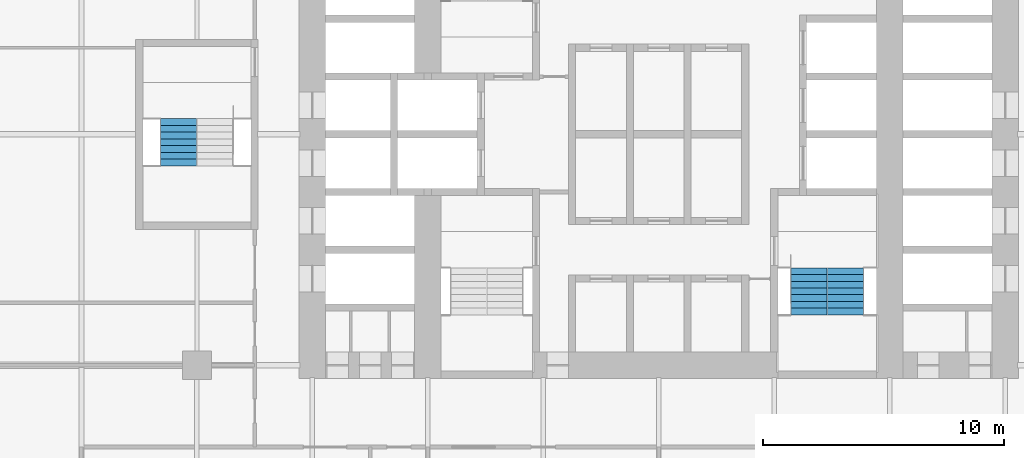
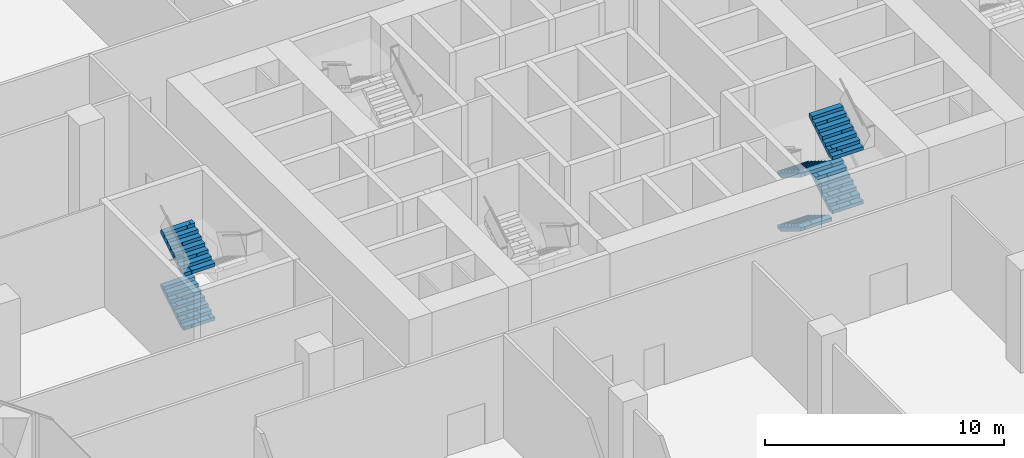
# One storey, part 23 of 27: 6 stair flights, 2 elements without a shape of their own.
"""IFC4 building model written with IfcOpenShell, lengths in metres."""

from ifc_helpers import new_model, si_unit, direction, frame, origin, place, context, subcontext, project, spatial, polyline, outline, extrude, material, type_object, element, aggregate, save


model = new_model("IFC4")

# Units and contexts
model_context = context("Model", 3, precision=1e-05, world=origin(), true_north=direction((0.0, 1.0)))
body_context = subcontext(model_context, "Body", "Model", "MODEL_VIEW")
ifc_project = project(units=[si_unit("LENGTHUNIT", "METRE"), si_unit("AREAUNIT", "SQUARE_METRE"), si_unit("VOLUMEUNIT", "CUBIC_METRE"), si_unit("PLANEANGLEUNIT", "RADIAN"), si_unit("MASSUNIT", "GRAM", prefix="KILO")], contexts=[model_context])

# Site, building, storey
site_placement = place(None, origin())
site = spatial("IfcSite", under=ifc_project, at=site_placement, CompositionType="ELEMENT")
building_placement = place(site_placement, origin())
building = spatial("IfcBuilding", under=site, at=building_placement, Name="Kolab Exchange Tower", CompositionType="ELEMENT")
storey_placement = place(building_placement, frame((0.0, 0.0, 44.39990234375)))
storey = spatial("IfcBuildingStorey", under=building, at=storey_placement, Name="L08", CompositionType="ELEMENT", Elevation=44.39990234375)

# Stair, stair flights
ifc_material = material(Name="Concrete C50/60", Category="concrete")
stair_type_1 = type_object("IfcStairType", Name="STAIR ST2 RISER 171.9", PredefinedType="DOUBLE_RETURN_STAIR", material=ifc_material)
stair_1_placement = place(storey_placement, origin())
stair_1 = element("IfcStair", 1, at=stair_1_placement, inside=storey, type_object=stair_type_1, Name="Stair 2", PredefinedType="DOUBLE_RETURN_STAIR")
stair_flight_type = type_object("IfcStairFlightType", Name="STAIR FLIGHT 1500 RISER 171.9", PredefinedType="STRAIGHT", material=ifc_material)
stair_flight_1_placement = place(storey_placement, frame((6.239990234375, -5.550048828125, 0.0), z_axis=(0.0, 0.0, 1.0), x_axis=(0.0, -1.0, 0.0)))
stair_flight_1 = element("IfcStairFlight", 2, at=stair_flight_1_placement, type_object=stair_flight_type, Name="ST2 flight 1", NumberOfRisers=8, NumberOfTreads=7, PredefinedType="STRAIGHT", RiserHeight=0.171875, TreadLength=0.28, context=body_context, shape_type="SweptSolid", body=[
    extrude(outline(polyline([(0.0, 0.0), (0.0, 0.171875), (0.280029296875, 0.171875), (0.280029296875, 0.34375), (0.56005859375, 0.34375), (0.56005859375, 0.515625), (0.840087890625, 0.515625), (0.840087890625, 0.6875), (1.1201171875, 0.6875), (1.1201171875, 0.859375), (1.39990234375, 0.859375), (1.39990234375, 1.03125), (1.679931640625, 1.03125), (1.679931640625, 1.203125), (1.9599609375, 1.203125), (1.9599609375, 1.375), (1.9599609375, 1.02734375), (0.28662109375, 0.0), (0.0, 0.0)])), frame((0.0, 0.75, 0.0), z_axis=(0.0, -1.0, 0.0), x_axis=(1.0, 0.0, 0.0)), (0.0, 0.0, 1.0), 0.185791015625),
    extrude(outline(polyline([(0.0, 0.0), (0.0, 0.171875), (0.280029296875, 0.171875), (0.280029296875, 0.34375), (0.56005859375, 0.34375), (0.56005859375, 0.515625), (0.840087890625, 0.515625), (0.840087890625, 0.6875), (1.1201171875, 0.6875), (1.1201171875, 0.859375), (1.39990234375, 0.859375), (1.39990234375, 1.03125), (1.679931640625, 1.03125), (1.679931640625, 1.203125), (1.9599609375, 1.203125), (1.9599609375, 1.375), (1.9599609375, 1.02734375), (0.28662109375, 0.0), (0.0, 0.0)])), frame((0.0, 0.562255859375, 0.0), z_axis=(0.0, -1.0, 0.0), x_axis=(1.0, 0.0, 0.0)), (0.0, 0.0, 1.0), 0.185791015625),
    extrude(outline(polyline([(0.0, 0.0), (0.0, 0.171875), (0.280029296875, 0.171875), (0.280029296875, 0.34375), (0.56005859375, 0.34375), (0.56005859375, 0.515625), (0.840087890625, 0.515625), (0.840087890625, 0.6875), (1.1201171875, 0.6875), (1.1201171875, 0.859375), (1.39990234375, 0.859375), (1.39990234375, 1.03125), (1.679931640625, 1.03125), (1.679931640625, 1.203125), (1.9599609375, 1.203125), (1.9599609375, 1.375), (1.9599609375, 1.02734375), (0.28662109375, 0.0), (0.0, 0.0)])), frame((0.0, 0.37451171875, 0.0), z_axis=(0.0, -1.0, 0.0), x_axis=(1.0, 0.0, 0.0)), (0.0, 0.0, 1.0), 0.185791015625),
    extrude(outline(polyline([(0.0, 0.0), (0.0, 0.171875), (0.280029296875, 0.171875), (0.280029296875, 0.34375), (0.56005859375, 0.34375), (0.56005859375, 0.515625), (0.840087890625, 0.515625), (0.840087890625, 0.6875), (1.1201171875, 0.6875), (1.1201171875, 0.859375), (1.39990234375, 0.859375), (1.39990234375, 1.03125), (1.679931640625, 1.03125), (1.679931640625, 1.203125), (1.9599609375, 1.203125), (1.9599609375, 1.375), (1.9599609375, 1.02734375), (0.28662109375, 0.0), (0.0, 0.0)])), frame((0.0, 0.186767578125, 0.0), z_axis=(0.0, -1.0, 0.0), x_axis=(1.0, 0.0, 0.0)), (0.0, 0.0, 1.0), 0.185791015625),
    extrude(outline(polyline([(0.0, 0.0), (0.0, 0.171875), (0.280029296875, 0.171875), (0.280029296875, 0.34375), (0.56005859375, 0.34375), (0.56005859375, 0.515625), (0.840087890625, 0.515625), (0.840087890625, 0.6875), (1.1201171875, 0.6875), (1.1201171875, 0.859375), (1.39990234375, 0.859375), (1.39990234375, 1.03125), (1.679931640625, 1.03125), (1.679931640625, 1.203125), (1.9599609375, 1.203125), (1.9599609375, 1.375), (1.9599609375, 1.02734375), (0.28662109375, 0.0), (0.0, 0.0)])), frame((0.0, -0.0009765625, 0.0), z_axis=(0.0, -1.0, 0.0), x_axis=(1.0, 0.0, 0.0)), (0.0, 0.0, 1.0), 0.185791015625),
    extrude(outline(polyline([(0.0, 0.0), (0.0, 0.171875), (0.280029296875, 0.171875), (0.280029296875, 0.34375), (0.56005859375, 0.34375), (0.56005859375, 0.515625), (0.840087890625, 0.515625), (0.840087890625, 0.6875), (1.1201171875, 0.6875), (1.1201171875, 0.859375), (1.39990234375, 0.859375), (1.39990234375, 1.03125), (1.679931640625, 1.03125), (1.679931640625, 1.203125), (1.9599609375, 1.203125), (1.9599609375, 1.375), (1.9599609375, 1.02734375), (0.28662109375, 0.0), (0.0, 0.0)])), frame((0.0, -0.188720703125, 0.0), z_axis=(0.0, -1.0, 0.0), x_axis=(1.0, 0.0, 0.0)), (0.0, 0.0, 1.0), 0.185791015625),
    extrude(outline(polyline([(0.0, 0.0), (0.0, 0.171875), (0.280029296875, 0.171875), (0.280029296875, 0.34375), (0.56005859375, 0.34375), (0.56005859375, 0.515625), (0.840087890625, 0.515625), (0.840087890625, 0.6875), (1.1201171875, 0.6875), (1.1201171875, 0.859375), (1.39990234375, 0.859375), (1.39990234375, 1.03125), (1.679931640625, 1.03125), (1.679931640625, 1.203125), (1.9599609375, 1.203125), (1.9599609375, 1.375), (1.9599609375, 1.02734375), (0.28662109375, 0.0), (0.0, 0.0)])), frame((0.0, -0.37646484375, 0.0), z_axis=(0.0, -1.0, 0.0), x_axis=(1.0, 0.0, 0.0)), (0.0, 0.0, 1.0), 0.185791015625),
    extrude(outline(polyline([(0.0, 0.0), (0.0, 0.171875), (0.280029296875, 0.171875), (0.280029296875, 0.34375), (0.56005859375, 0.34375), (0.56005859375, 0.515625), (0.840087890625, 0.515625), (0.840087890625, 0.6875), (1.1201171875, 0.6875), (1.1201171875, 0.859375), (1.39990234375, 0.859375), (1.39990234375, 1.03125), (1.679931640625, 1.03125), (1.679931640625, 1.203125), (1.9599609375, 1.203125), (1.9599609375, 1.375), (1.9599609375, 1.02734375), (0.28662109375, 0.0), (0.0, 0.0)])), frame((0.0, -0.564208984375, 0.0), z_axis=(0.0, -1.0, 0.0), x_axis=(1.0, 0.0, 0.0)), (0.0, 0.0, 1.0), 0.185791015625),
])
stair_flight_2_placement = place(storey_placement, frame((7.760009765625, -7.510009765625, 1.375), z_axis=(0.0, 0.0, 1.0), x_axis=(0.0, 1.0, 0.0)))
stair_flight_2 = element("IfcStairFlight", 3, at=stair_flight_2_placement, type_object=stair_flight_type, Name="ST2 flight 2", NumberOfRisers=8, NumberOfTreads=7, PredefinedType="STRAIGHT", RiserHeight=0.171875, TreadLength=0.28, context=body_context, shape_type="SweptSolid", body=[
    extrude(outline(polyline([(0.0, 0.0), (0.0, 0.171875), (0.280029296875, 0.171875), (0.280029296875, 0.34375), (0.56005859375, 0.34375), (0.56005859375, 0.515625), (0.840087890625, 0.515625), (0.840087890625, 0.6875), (1.1201171875, 0.6875), (1.1201171875, 0.859375), (1.39990234375, 0.859375), (1.39990234375, 1.03125), (1.679931640625, 1.03125), (1.679931640625, 1.203125), (1.9599609375, 1.203125), (1.9599609375, 1.375), (1.9599609375, 1.02734375), (0.28662109375, 0.0), (0.0, 0.0)])), frame((0.0, 0.75, 0.0), z_axis=(0.0, -1.0, 0.0), x_axis=(1.0, 0.0, 0.0)), (0.0, 0.0, 1.0), 0.185791015625),
    extrude(outline(polyline([(0.0, 0.0), (0.0, 0.171875), (0.280029296875, 0.171875), (0.280029296875, 0.34375), (0.56005859375, 0.34375), (0.56005859375, 0.515625), (0.840087890625, 0.515625), (0.840087890625, 0.6875), (1.1201171875, 0.6875), (1.1201171875, 0.859375), (1.39990234375, 0.859375), (1.39990234375, 1.03125), (1.679931640625, 1.03125), (1.679931640625, 1.203125), (1.9599609375, 1.203125), (1.9599609375, 1.375), (1.9599609375, 1.02734375), (0.28662109375, 0.0), (0.0, 0.0)])), frame((0.0, 0.562255859375, 0.0), z_axis=(0.0, -1.0, 0.0), x_axis=(1.0, 0.0, 0.0)), (0.0, 0.0, 1.0), 0.185791015625),
    extrude(outline(polyline([(0.0, 0.0), (0.0, 0.171875), (0.280029296875, 0.171875), (0.280029296875, 0.34375), (0.56005859375, 0.34375), (0.56005859375, 0.515625), (0.840087890625, 0.515625), (0.840087890625, 0.6875), (1.1201171875, 0.6875), (1.1201171875, 0.859375), (1.39990234375, 0.859375), (1.39990234375, 1.03125), (1.679931640625, 1.03125), (1.679931640625, 1.203125), (1.9599609375, 1.203125), (1.9599609375, 1.375), (1.9599609375, 1.02734375), (0.28662109375, 0.0), (0.0, 0.0)])), frame((0.0, 0.37451171875, 0.0), z_axis=(0.0, -1.0, 0.0), x_axis=(1.0, 0.0, 0.0)), (0.0, 0.0, 1.0), 0.185791015625),
    extrude(outline(polyline([(0.0, 0.0), (0.0, 0.171875), (0.280029296875, 0.171875), (0.280029296875, 0.34375), (0.56005859375, 0.34375), (0.56005859375, 0.515625), (0.840087890625, 0.515625), (0.840087890625, 0.6875), (1.1201171875, 0.6875), (1.1201171875, 0.859375), (1.39990234375, 0.859375), (1.39990234375, 1.03125), (1.679931640625, 1.03125), (1.679931640625, 1.203125), (1.9599609375, 1.203125), (1.9599609375, 1.375), (1.9599609375, 1.02734375), (0.28662109375, 0.0), (0.0, 0.0)])), frame((0.0, 0.186767578125, 0.0), z_axis=(0.0, -1.0, 0.0), x_axis=(1.0, 0.0, 0.0)), (0.0, 0.0, 1.0), 0.185791015625),
    extrude(outline(polyline([(0.0, 0.0), (0.0, 0.171875), (0.280029296875, 0.171875), (0.280029296875, 0.34375), (0.56005859375, 0.34375), (0.56005859375, 0.515625), (0.840087890625, 0.515625), (0.840087890625, 0.6875), (1.1201171875, 0.6875), (1.1201171875, 0.859375), (1.39990234375, 0.859375), (1.39990234375, 1.03125), (1.679931640625, 1.03125), (1.679931640625, 1.203125), (1.9599609375, 1.203125), (1.9599609375, 1.375), (1.9599609375, 1.02734375), (0.28662109375, 0.0), (0.0, 0.0)])), frame((0.0, -0.0009765625, 0.0), z_axis=(0.0, -1.0, 0.0), x_axis=(1.0, 0.0, 0.0)), (0.0, 0.0, 1.0), 0.185791015625),
    extrude(outline(polyline([(0.0, 0.0), (0.0, 0.171875), (0.280029296875, 0.171875), (0.280029296875, 0.34375), (0.56005859375, 0.34375), (0.56005859375, 0.515625), (0.840087890625, 0.515625), (0.840087890625, 0.6875), (1.1201171875, 0.6875), (1.1201171875, 0.859375), (1.39990234375, 0.859375), (1.39990234375, 1.03125), (1.679931640625, 1.03125), (1.679931640625, 1.203125), (1.9599609375, 1.203125), (1.9599609375, 1.375), (1.9599609375, 1.02734375), (0.28662109375, 0.0), (0.0, 0.0)])), frame((0.0, -0.188720703125, 0.0), z_axis=(0.0, -1.0, 0.0), x_axis=(1.0, 0.0, 0.0)), (0.0, 0.0, 1.0), 0.185791015625),
    extrude(outline(polyline([(0.0, 0.0), (0.0, 0.171875), (0.280029296875, 0.171875), (0.280029296875, 0.34375), (0.56005859375, 0.34375), (0.56005859375, 0.515625), (0.840087890625, 0.515625), (0.840087890625, 0.6875), (1.1201171875, 0.6875), (1.1201171875, 0.859375), (1.39990234375, 0.859375), (1.39990234375, 1.03125), (1.679931640625, 1.03125), (1.679931640625, 1.203125), (1.9599609375, 1.203125), (1.9599609375, 1.375), (1.9599609375, 1.02734375), (0.28662109375, 0.0), (0.0, 0.0)])), frame((0.0, -0.37646484375, 0.0), z_axis=(0.0, -1.0, 0.0), x_axis=(1.0, 0.0, 0.0)), (0.0, 0.0, 1.0), 0.185791015625),
    extrude(outline(polyline([(0.0, 0.0), (0.0, 0.171875), (0.280029296875, 0.171875), (0.280029296875, 0.34375), (0.56005859375, 0.34375), (0.56005859375, 0.515625), (0.840087890625, 0.515625), (0.840087890625, 0.6875), (1.1201171875, 0.6875), (1.1201171875, 0.859375), (1.39990234375, 0.859375), (1.39990234375, 1.03125), (1.679931640625, 1.03125), (1.679931640625, 1.203125), (1.9599609375, 1.203125), (1.9599609375, 1.375), (1.9599609375, 1.02734375), (0.28662109375, 0.0), (0.0, 0.0)])), frame((0.0, -0.564208984375, 0.0), z_axis=(0.0, -1.0, 0.0), x_axis=(1.0, 0.0, 0.0)), (0.0, 0.0, 1.0), 0.185791015625),
])
stair_flight_3_placement = place(storey_placement, frame((6.239990234375, -5.550048828125, 2.75), z_axis=(0.0, 0.0, 1.0), x_axis=(0.0, -1.0, 0.0)))
stair_flight_3 = element("IfcStairFlight", 4, at=stair_flight_3_placement, type_object=stair_flight_type, Name="ST2 flight 3", NumberOfRisers=8, NumberOfTreads=7, PredefinedType="STRAIGHT", RiserHeight=0.171875, TreadLength=0.28, context=body_context, shape_type="SweptSolid", body=[
    extrude(outline(polyline([(0.0, 0.0), (0.0, 0.171875), (0.280029296875, 0.171875), (0.280029296875, 0.34375), (0.56005859375, 0.34375), (0.56005859375, 0.515625), (0.840087890625, 0.515625), (0.840087890625, 0.6875), (1.1201171875, 0.6875), (1.1201171875, 0.859375), (1.39990234375, 0.859375), (1.39990234375, 1.03125), (1.679931640625, 1.03125), (1.679931640625, 1.203125), (1.9599609375, 1.203125), (1.9599609375, 1.375), (1.9599609375, 1.02734375), (0.28662109375, 0.0), (0.0, 0.0)])), frame((0.0, 0.75, 0.0), z_axis=(0.0, -1.0, 0.0), x_axis=(1.0, 0.0, 0.0)), (0.0, 0.0, 1.0), 0.185791015625),
    extrude(outline(polyline([(0.0, 0.0), (0.0, 0.171875), (0.280029296875, 0.171875), (0.280029296875, 0.34375), (0.56005859375, 0.34375), (0.56005859375, 0.515625), (0.840087890625, 0.515625), (0.840087890625, 0.6875), (1.1201171875, 0.6875), (1.1201171875, 0.859375), (1.39990234375, 0.859375), (1.39990234375, 1.03125), (1.679931640625, 1.03125), (1.679931640625, 1.203125), (1.9599609375, 1.203125), (1.9599609375, 1.375), (1.9599609375, 1.02734375), (0.28662109375, 0.0), (0.0, 0.0)])), frame((0.0, 0.562255859375, 0.0), z_axis=(0.0, -1.0, 0.0), x_axis=(1.0, 0.0, 0.0)), (0.0, 0.0, 1.0), 0.185791015625),
    extrude(outline(polyline([(0.0, 0.0), (0.0, 0.171875), (0.280029296875, 0.171875), (0.280029296875, 0.34375), (0.56005859375, 0.34375), (0.56005859375, 0.515625), (0.840087890625, 0.515625), (0.840087890625, 0.6875), (1.1201171875, 0.6875), (1.1201171875, 0.859375), (1.39990234375, 0.859375), (1.39990234375, 1.03125), (1.679931640625, 1.03125), (1.679931640625, 1.203125), (1.9599609375, 1.203125), (1.9599609375, 1.375), (1.9599609375, 1.02734375), (0.28662109375, 0.0), (0.0, 0.0)])), frame((0.0, 0.37451171875, 0.0), z_axis=(0.0, -1.0, 0.0), x_axis=(1.0, 0.0, 0.0)), (0.0, 0.0, 1.0), 0.185791015625),
    extrude(outline(polyline([(0.0, 0.0), (0.0, 0.171875), (0.280029296875, 0.171875), (0.280029296875, 0.34375), (0.56005859375, 0.34375), (0.56005859375, 0.515625), (0.840087890625, 0.515625), (0.840087890625, 0.6875), (1.1201171875, 0.6875), (1.1201171875, 0.859375), (1.39990234375, 0.859375), (1.39990234375, 1.03125), (1.679931640625, 1.03125), (1.679931640625, 1.203125), (1.9599609375, 1.203125), (1.9599609375, 1.375), (1.9599609375, 1.02734375), (0.28662109375, 0.0), (0.0, 0.0)])), frame((0.0, 0.186767578125, 0.0), z_axis=(0.0, -1.0, 0.0), x_axis=(1.0, 0.0, 0.0)), (0.0, 0.0, 1.0), 0.185791015625),
    extrude(outline(polyline([(0.0, 0.0), (0.0, 0.171875), (0.280029296875, 0.171875), (0.280029296875, 0.34375), (0.56005859375, 0.34375), (0.56005859375, 0.515625), (0.840087890625, 0.515625), (0.840087890625, 0.6875), (1.1201171875, 0.6875), (1.1201171875, 0.859375), (1.39990234375, 0.859375), (1.39990234375, 1.03125), (1.679931640625, 1.03125), (1.679931640625, 1.203125), (1.9599609375, 1.203125), (1.9599609375, 1.375), (1.9599609375, 1.02734375), (0.28662109375, 0.0), (0.0, 0.0)])), frame((0.0, -0.0009765625, 0.0), z_axis=(0.0, -1.0, 0.0), x_axis=(1.0, 0.0, 0.0)), (0.0, 0.0, 1.0), 0.185791015625),
    extrude(outline(polyline([(0.0, 0.0), (0.0, 0.171875), (0.280029296875, 0.171875), (0.280029296875, 0.34375), (0.56005859375, 0.34375), (0.56005859375, 0.515625), (0.840087890625, 0.515625), (0.840087890625, 0.6875), (1.1201171875, 0.6875), (1.1201171875, 0.859375), (1.39990234375, 0.859375), (1.39990234375, 1.03125), (1.679931640625, 1.03125), (1.679931640625, 1.203125), (1.9599609375, 1.203125), (1.9599609375, 1.375), (1.9599609375, 1.02734375), (0.28662109375, 0.0), (0.0, 0.0)])), frame((0.0, -0.188720703125, 0.0), z_axis=(0.0, -1.0, 0.0), x_axis=(1.0, 0.0, 0.0)), (0.0, 0.0, 1.0), 0.185791015625),
    extrude(outline(polyline([(0.0, 0.0), (0.0, 0.171875), (0.280029296875, 0.171875), (0.280029296875, 0.34375), (0.56005859375, 0.34375), (0.56005859375, 0.515625), (0.840087890625, 0.515625), (0.840087890625, 0.6875), (1.1201171875, 0.6875), (1.1201171875, 0.859375), (1.39990234375, 0.859375), (1.39990234375, 1.03125), (1.679931640625, 1.03125), (1.679931640625, 1.203125), (1.9599609375, 1.203125), (1.9599609375, 1.375), (1.9599609375, 1.02734375), (0.28662109375, 0.0), (0.0, 0.0)])), frame((0.0, -0.37646484375, 0.0), z_axis=(0.0, -1.0, 0.0), x_axis=(1.0, 0.0, 0.0)), (0.0, 0.0, 1.0), 0.185791015625),
    extrude(outline(polyline([(0.0, 0.0), (0.0, 0.171875), (0.280029296875, 0.171875), (0.280029296875, 0.34375), (0.56005859375, 0.34375), (0.56005859375, 0.515625), (0.840087890625, 0.515625), (0.840087890625, 0.6875), (1.1201171875, 0.6875), (1.1201171875, 0.859375), (1.39990234375, 0.859375), (1.39990234375, 1.03125), (1.679931640625, 1.03125), (1.679931640625, 1.203125), (1.9599609375, 1.203125), (1.9599609375, 1.375), (1.9599609375, 1.02734375), (0.28662109375, 0.0), (0.0, 0.0)])), frame((0.0, -0.564208984375, 0.0), z_axis=(0.0, -1.0, 0.0), x_axis=(1.0, 0.0, 0.0)), (0.0, 0.0, 1.0), 0.185791015625),
])
stair_flight_4_placement = place(storey_placement, frame((7.760009765625, -7.510009765625, 4.125), z_axis=(0.0, 0.0, 1.0), x_axis=(0.0, 1.0, 0.0)))
stair_flight_4 = element("IfcStairFlight", 5, at=stair_flight_4_placement, type_object=stair_flight_type, Name="ST2 flight 4", NumberOfRisers=8, NumberOfTreads=7, PredefinedType="STRAIGHT", RiserHeight=0.171875, TreadLength=0.28, context=body_context, shape_type="SweptSolid", body=[
    extrude(outline(polyline([(0.0, 0.0), (0.0, 0.171875), (0.280029296875, 0.171875), (0.280029296875, 0.34375), (0.56005859375, 0.34375), (0.56005859375, 0.515625), (0.840087890625, 0.515625), (0.840087890625, 0.6875), (1.1201171875, 0.6875), (1.1201171875, 0.859375), (1.39990234375, 0.859375), (1.39990234375, 1.03125), (1.679931640625, 1.03125), (1.679931640625, 1.203125), (1.9599609375, 1.203125), (1.9599609375, 1.375), (1.9599609375, 1.02734375), (0.28662109375, 0.0), (0.0, 0.0)])), frame((0.0, 0.75, 0.0), z_axis=(0.0, -1.0, 0.0), x_axis=(1.0, 0.0, 0.0)), (0.0, 0.0, 1.0), 0.185791015625),
    extrude(outline(polyline([(0.0, 0.0), (0.0, 0.171875), (0.280029296875, 0.171875), (0.280029296875, 0.34375), (0.56005859375, 0.34375), (0.56005859375, 0.515625), (0.840087890625, 0.515625), (0.840087890625, 0.6875), (1.1201171875, 0.6875), (1.1201171875, 0.859375), (1.39990234375, 0.859375), (1.39990234375, 1.03125), (1.679931640625, 1.03125), (1.679931640625, 1.203125), (1.9599609375, 1.203125), (1.9599609375, 1.375), (1.9599609375, 1.02734375), (0.28662109375, 0.0), (0.0, 0.0)])), frame((0.0, 0.562255859375, 0.0), z_axis=(0.0, -1.0, 0.0), x_axis=(1.0, 0.0, 0.0)), (0.0, 0.0, 1.0), 0.185791015625),
    extrude(outline(polyline([(0.0, 0.0), (0.0, 0.171875), (0.280029296875, 0.171875), (0.280029296875, 0.34375), (0.56005859375, 0.34375), (0.56005859375, 0.515625), (0.840087890625, 0.515625), (0.840087890625, 0.6875), (1.1201171875, 0.6875), (1.1201171875, 0.859375), (1.39990234375, 0.859375), (1.39990234375, 1.03125), (1.679931640625, 1.03125), (1.679931640625, 1.203125), (1.9599609375, 1.203125), (1.9599609375, 1.375), (1.9599609375, 1.02734375), (0.28662109375, 0.0), (0.0, 0.0)])), frame((0.0, 0.37451171875, 0.0), z_axis=(0.0, -1.0, 0.0), x_axis=(1.0, 0.0, 0.0)), (0.0, 0.0, 1.0), 0.185791015625),
    extrude(outline(polyline([(0.0, 0.0), (0.0, 0.171875), (0.280029296875, 0.171875), (0.280029296875, 0.34375), (0.56005859375, 0.34375), (0.56005859375, 0.515625), (0.840087890625, 0.515625), (0.840087890625, 0.6875), (1.1201171875, 0.6875), (1.1201171875, 0.859375), (1.39990234375, 0.859375), (1.39990234375, 1.03125), (1.679931640625, 1.03125), (1.679931640625, 1.203125), (1.9599609375, 1.203125), (1.9599609375, 1.375), (1.9599609375, 1.02734375), (0.28662109375, 0.0), (0.0, 0.0)])), frame((0.0, 0.186767578125, 0.0), z_axis=(0.0, -1.0, 0.0), x_axis=(1.0, 0.0, 0.0)), (0.0, 0.0, 1.0), 0.185791015625),
    extrude(outline(polyline([(0.0, 0.0), (0.0, 0.171875), (0.280029296875, 0.171875), (0.280029296875, 0.34375), (0.56005859375, 0.34375), (0.56005859375, 0.515625), (0.840087890625, 0.515625), (0.840087890625, 0.6875), (1.1201171875, 0.6875), (1.1201171875, 0.859375), (1.39990234375, 0.859375), (1.39990234375, 1.03125), (1.679931640625, 1.03125), (1.679931640625, 1.203125), (1.9599609375, 1.203125), (1.9599609375, 1.375), (1.9599609375, 1.02734375), (0.28662109375, 0.0), (0.0, 0.0)])), frame((0.0, -0.0009765625, 0.0), z_axis=(0.0, -1.0, 0.0), x_axis=(1.0, 0.0, 0.0)), (0.0, 0.0, 1.0), 0.185791015625),
    extrude(outline(polyline([(0.0, 0.0), (0.0, 0.171875), (0.280029296875, 0.171875), (0.280029296875, 0.34375), (0.56005859375, 0.34375), (0.56005859375, 0.515625), (0.840087890625, 0.515625), (0.840087890625, 0.6875), (1.1201171875, 0.6875), (1.1201171875, 0.859375), (1.39990234375, 0.859375), (1.39990234375, 1.03125), (1.679931640625, 1.03125), (1.679931640625, 1.203125), (1.9599609375, 1.203125), (1.9599609375, 1.375), (1.9599609375, 1.02734375), (0.28662109375, 0.0), (0.0, 0.0)])), frame((0.0, -0.188720703125, 0.0), z_axis=(0.0, -1.0, 0.0), x_axis=(1.0, 0.0, 0.0)), (0.0, 0.0, 1.0), 0.185791015625),
    extrude(outline(polyline([(0.0, 0.0), (0.0, 0.171875), (0.280029296875, 0.171875), (0.280029296875, 0.34375), (0.56005859375, 0.34375), (0.56005859375, 0.515625), (0.840087890625, 0.515625), (0.840087890625, 0.6875), (1.1201171875, 0.6875), (1.1201171875, 0.859375), (1.39990234375, 0.859375), (1.39990234375, 1.03125), (1.679931640625, 1.03125), (1.679931640625, 1.203125), (1.9599609375, 1.203125), (1.9599609375, 1.375), (1.9599609375, 1.02734375), (0.28662109375, 0.0), (0.0, 0.0)])), frame((0.0, -0.37646484375, 0.0), z_axis=(0.0, -1.0, 0.0), x_axis=(1.0, 0.0, 0.0)), (0.0, 0.0, 1.0), 0.185791015625),
    extrude(outline(polyline([(0.0, 0.0), (0.0, 0.171875), (0.280029296875, 0.171875), (0.280029296875, 0.34375), (0.56005859375, 0.34375), (0.56005859375, 0.515625), (0.840087890625, 0.515625), (0.840087890625, 0.6875), (1.1201171875, 0.6875), (1.1201171875, 0.859375), (1.39990234375, 0.859375), (1.39990234375, 1.03125), (1.679931640625, 1.03125), (1.679931640625, 1.203125), (1.9599609375, 1.203125), (1.9599609375, 1.375), (1.9599609375, 1.02734375), (0.28662109375, 0.0), (0.0, 0.0)])), frame((0.0, -0.564208984375, 0.0), z_axis=(0.0, -1.0, 0.0), x_axis=(1.0, 0.0, 0.0)), (0.0, 0.0, 1.0), 0.185791015625),
])
aggregate(stair_1, [stair_flight_1, stair_flight_2, stair_flight_3, stair_flight_4])

stair_type_2 = type_object("IfcStairType", Name="STAIR ST5 RISER 171.9", PredefinedType="DOUBLE_RETURN_STAIR", material=ifc_material)
stair_2_placement = place(storey_placement, origin())
stair_2 = element("IfcStair", 6, at=stair_2_placement, inside=storey, type_object=stair_type_2, Name="Stair 5", PredefinedType="DOUBLE_RETURN_STAIR")
stair_flight_5_placement = place(storey_placement, frame((-19.9599609375, -1.31005859375, 1.375), z_axis=(0.0, 0.0, 1.0), x_axis=(0.0, 1.0, 0.0)))
stair_flight_5 = element("IfcStairFlight", 7, at=stair_flight_5_placement, type_object=stair_flight_type, Name="ST5 flight 2", NumberOfRisers=8, NumberOfTreads=7, PredefinedType="STRAIGHT", RiserHeight=0.171875, TreadLength=0.28, context=body_context, shape_type="SweptSolid", body=[
    extrude(outline(polyline([(0.0, 0.0), (0.0, 0.171875), (0.280029296875, 0.171875), (0.280029296875, 0.34375), (0.56005859375, 0.34375), (0.56005859375, 0.515625), (0.840087890625, 0.515625), (0.840087890625, 0.6875), (1.1201171875, 0.6875), (1.1201171875, 0.859375), (1.39990234375, 0.859375), (1.39990234375, 1.03125), (1.679931640625, 1.03125), (1.679931640625, 1.203125), (1.9599609375, 1.203125), (1.9599609375, 1.375), (1.9599609375, 1.02734375), (0.28662109375, 0.0), (0.0, 0.0)])), frame((0.0, 0.75, 0.0), z_axis=(0.0, -1.0, 0.0), x_axis=(1.0, 0.0, 0.0)), (0.0, 0.0, 1.0), 0.185791015625),
    extrude(outline(polyline([(0.0, 0.0), (0.0, 0.171875), (0.280029296875, 0.171875), (0.280029296875, 0.34375), (0.56005859375, 0.34375), (0.56005859375, 0.515625), (0.840087890625, 0.515625), (0.840087890625, 0.6875), (1.1201171875, 0.6875), (1.1201171875, 0.859375), (1.39990234375, 0.859375), (1.39990234375, 1.03125), (1.679931640625, 1.03125), (1.679931640625, 1.203125), (1.9599609375, 1.203125), (1.9599609375, 1.375), (1.9599609375, 1.02734375), (0.28662109375, 0.0), (0.0, 0.0)])), frame((0.0, 0.562255859375, 0.0), z_axis=(0.0, -1.0, 0.0), x_axis=(1.0, 0.0, 0.0)), (0.0, 0.0, 1.0), 0.185791015625),
    extrude(outline(polyline([(0.0, 0.0), (0.0, 0.171875), (0.280029296875, 0.171875), (0.280029296875, 0.34375), (0.56005859375, 0.34375), (0.56005859375, 0.515625), (0.840087890625, 0.515625), (0.840087890625, 0.6875), (1.1201171875, 0.6875), (1.1201171875, 0.859375), (1.39990234375, 0.859375), (1.39990234375, 1.03125), (1.679931640625, 1.03125), (1.679931640625, 1.203125), (1.9599609375, 1.203125), (1.9599609375, 1.375), (1.9599609375, 1.02734375), (0.28662109375, 0.0), (0.0, 0.0)])), frame((0.0, 0.37451171875, 0.0), z_axis=(0.0, -1.0, 0.0), x_axis=(1.0, 0.0, 0.0)), (0.0, 0.0, 1.0), 0.185791015625),
    extrude(outline(polyline([(0.0, 0.0), (0.0, 0.171875), (0.280029296875, 0.171875), (0.280029296875, 0.34375), (0.56005859375, 0.34375), (0.56005859375, 0.515625), (0.840087890625, 0.515625), (0.840087890625, 0.6875), (1.1201171875, 0.6875), (1.1201171875, 0.859375), (1.39990234375, 0.859375), (1.39990234375, 1.03125), (1.679931640625, 1.03125), (1.679931640625, 1.203125), (1.9599609375, 1.203125), (1.9599609375, 1.375), (1.9599609375, 1.02734375), (0.28662109375, 0.0), (0.0, 0.0)])), frame((0.0, 0.186767578125, 0.0), z_axis=(0.0, -1.0, 0.0), x_axis=(1.0, 0.0, 0.0)), (0.0, 0.0, 1.0), 0.185791015625),
    extrude(outline(polyline([(0.0, 0.0), (0.0, 0.171875), (0.280029296875, 0.171875), (0.280029296875, 0.34375), (0.56005859375, 0.34375), (0.56005859375, 0.515625), (0.840087890625, 0.515625), (0.840087890625, 0.6875), (1.1201171875, 0.6875), (1.1201171875, 0.859375), (1.39990234375, 0.859375), (1.39990234375, 1.03125), (1.679931640625, 1.03125), (1.679931640625, 1.203125), (1.9599609375, 1.203125), (1.9599609375, 1.375), (1.9599609375, 1.02734375), (0.28662109375, 0.0), (0.0, 0.0)])), frame((0.0, -0.0009765625, 0.0), z_axis=(0.0, -1.0, 0.0), x_axis=(1.0, 0.0, 0.0)), (0.0, 0.0, 1.0), 0.185791015625),
    extrude(outline(polyline([(0.0, 0.0), (0.0, 0.171875), (0.280029296875, 0.171875), (0.280029296875, 0.34375), (0.56005859375, 0.34375), (0.56005859375, 0.515625), (0.840087890625, 0.515625), (0.840087890625, 0.6875), (1.1201171875, 0.6875), (1.1201171875, 0.859375), (1.39990234375, 0.859375), (1.39990234375, 1.03125), (1.679931640625, 1.03125), (1.679931640625, 1.203125), (1.9599609375, 1.203125), (1.9599609375, 1.375), (1.9599609375, 1.02734375), (0.28662109375, 0.0), (0.0, 0.0)])), frame((0.0, -0.188720703125, 0.0), z_axis=(0.0, -1.0, 0.0), x_axis=(1.0, 0.0, 0.0)), (0.0, 0.0, 1.0), 0.185791015625),
    extrude(outline(polyline([(0.0, 0.0), (0.0, 0.171875), (0.280029296875, 0.171875), (0.280029296875, 0.34375), (0.56005859375, 0.34375), (0.56005859375, 0.515625), (0.840087890625, 0.515625), (0.840087890625, 0.6875), (1.1201171875, 0.6875), (1.1201171875, 0.859375), (1.39990234375, 0.859375), (1.39990234375, 1.03125), (1.679931640625, 1.03125), (1.679931640625, 1.203125), (1.9599609375, 1.203125), (1.9599609375, 1.375), (1.9599609375, 1.02734375), (0.28662109375, 0.0), (0.0, 0.0)])), frame((0.0, -0.37646484375, 0.0), z_axis=(0.0, -1.0, 0.0), x_axis=(1.0, 0.0, 0.0)), (0.0, 0.0, 1.0), 0.185791015625),
    extrude(outline(polyline([(0.0, 0.0), (0.0, 0.171875), (0.280029296875, 0.171875), (0.280029296875, 0.34375), (0.56005859375, 0.34375), (0.56005859375, 0.515625), (0.840087890625, 0.515625), (0.840087890625, 0.6875), (1.1201171875, 0.6875), (1.1201171875, 0.859375), (1.39990234375, 0.859375), (1.39990234375, 1.03125), (1.679931640625, 1.03125), (1.679931640625, 1.203125), (1.9599609375, 1.203125), (1.9599609375, 1.375), (1.9599609375, 1.02734375), (0.28662109375, 0.0), (0.0, 0.0)])), frame((0.0, -0.564208984375, 0.0), z_axis=(0.0, -1.0, 0.0), x_axis=(1.0, 0.0, 0.0)), (0.0, 0.0, 1.0), 0.185791015625),
])
stair_flight_6_placement = place(storey_placement, frame((-19.9599609375, -1.31005859375, 4.125), z_axis=(0.0, 0.0, 1.0), x_axis=(0.0, 1.0, 0.0)))
stair_flight_6 = element("IfcStairFlight", 8, at=stair_flight_6_placement, type_object=stair_flight_type, Name="ST5 flight 4", NumberOfRisers=8, NumberOfTreads=7, PredefinedType="STRAIGHT", RiserHeight=0.171875, TreadLength=0.28, context=body_context, shape_type="SweptSolid", body=[
    extrude(outline(polyline([(0.0, 0.0), (0.0, 0.171875), (0.280029296875, 0.171875), (0.280029296875, 0.34375), (0.56005859375, 0.34375), (0.56005859375, 0.515625), (0.840087890625, 0.515625), (0.840087890625, 0.6875), (1.1201171875, 0.6875), (1.1201171875, 0.859375), (1.39990234375, 0.859375), (1.39990234375, 1.03125), (1.679931640625, 1.03125), (1.679931640625, 1.203125), (1.9599609375, 1.203125), (1.9599609375, 1.375), (1.9599609375, 1.02734375), (0.28662109375, 0.0), (0.0, 0.0)])), frame((0.0, 0.75, 0.0), z_axis=(0.0, -1.0, 0.0), x_axis=(1.0, 0.0, 0.0)), (0.0, 0.0, 1.0), 0.185791015625),
    extrude(outline(polyline([(0.0, 0.0), (0.0, 0.171875), (0.280029296875, 0.171875), (0.280029296875, 0.34375), (0.56005859375, 0.34375), (0.56005859375, 0.515625), (0.840087890625, 0.515625), (0.840087890625, 0.6875), (1.1201171875, 0.6875), (1.1201171875, 0.859375), (1.39990234375, 0.859375), (1.39990234375, 1.03125), (1.679931640625, 1.03125), (1.679931640625, 1.203125), (1.9599609375, 1.203125), (1.9599609375, 1.375), (1.9599609375, 1.02734375), (0.28662109375, 0.0), (0.0, 0.0)])), frame((0.0, 0.562255859375, 0.0), z_axis=(0.0, -1.0, 0.0), x_axis=(1.0, 0.0, 0.0)), (0.0, 0.0, 1.0), 0.185791015625),
    extrude(outline(polyline([(0.0, 0.0), (0.0, 0.171875), (0.280029296875, 0.171875), (0.280029296875, 0.34375), (0.56005859375, 0.34375), (0.56005859375, 0.515625), (0.840087890625, 0.515625), (0.840087890625, 0.6875), (1.1201171875, 0.6875), (1.1201171875, 0.859375), (1.39990234375, 0.859375), (1.39990234375, 1.03125), (1.679931640625, 1.03125), (1.679931640625, 1.203125), (1.9599609375, 1.203125), (1.9599609375, 1.375), (1.9599609375, 1.02734375), (0.28662109375, 0.0), (0.0, 0.0)])), frame((0.0, 0.37451171875, 0.0), z_axis=(0.0, -1.0, 0.0), x_axis=(1.0, 0.0, 0.0)), (0.0, 0.0, 1.0), 0.185791015625),
    extrude(outline(polyline([(0.0, 0.0), (0.0, 0.171875), (0.280029296875, 0.171875), (0.280029296875, 0.34375), (0.56005859375, 0.34375), (0.56005859375, 0.515625), (0.840087890625, 0.515625), (0.840087890625, 0.6875), (1.1201171875, 0.6875), (1.1201171875, 0.859375), (1.39990234375, 0.859375), (1.39990234375, 1.03125), (1.679931640625, 1.03125), (1.679931640625, 1.203125), (1.9599609375, 1.203125), (1.9599609375, 1.375), (1.9599609375, 1.02734375), (0.28662109375, 0.0), (0.0, 0.0)])), frame((0.0, 0.186767578125, 0.0), z_axis=(0.0, -1.0, 0.0), x_axis=(1.0, 0.0, 0.0)), (0.0, 0.0, 1.0), 0.185791015625),
    extrude(outline(polyline([(0.0, 0.0), (0.0, 0.171875), (0.280029296875, 0.171875), (0.280029296875, 0.34375), (0.56005859375, 0.34375), (0.56005859375, 0.515625), (0.840087890625, 0.515625), (0.840087890625, 0.6875), (1.1201171875, 0.6875), (1.1201171875, 0.859375), (1.39990234375, 0.859375), (1.39990234375, 1.03125), (1.679931640625, 1.03125), (1.679931640625, 1.203125), (1.9599609375, 1.203125), (1.9599609375, 1.375), (1.9599609375, 1.02734375), (0.28662109375, 0.0), (0.0, 0.0)])), frame((0.0, -0.0009765625, 0.0), z_axis=(0.0, -1.0, 0.0), x_axis=(1.0, 0.0, 0.0)), (0.0, 0.0, 1.0), 0.185791015625),
    extrude(outline(polyline([(0.0, 0.0), (0.0, 0.171875), (0.280029296875, 0.171875), (0.280029296875, 0.34375), (0.56005859375, 0.34375), (0.56005859375, 0.515625), (0.840087890625, 0.515625), (0.840087890625, 0.6875), (1.1201171875, 0.6875), (1.1201171875, 0.859375), (1.39990234375, 0.859375), (1.39990234375, 1.03125), (1.679931640625, 1.03125), (1.679931640625, 1.203125), (1.9599609375, 1.203125), (1.9599609375, 1.375), (1.9599609375, 1.02734375), (0.28662109375, 0.0), (0.0, 0.0)])), frame((0.0, -0.188720703125, 0.0), z_axis=(0.0, -1.0, 0.0), x_axis=(1.0, 0.0, 0.0)), (0.0, 0.0, 1.0), 0.185791015625),
    extrude(outline(polyline([(0.0, 0.0), (0.0, 0.171875), (0.280029296875, 0.171875), (0.280029296875, 0.34375), (0.56005859375, 0.34375), (0.56005859375, 0.515625), (0.840087890625, 0.515625), (0.840087890625, 0.6875), (1.1201171875, 0.6875), (1.1201171875, 0.859375), (1.39990234375, 0.859375), (1.39990234375, 1.03125), (1.679931640625, 1.03125), (1.679931640625, 1.203125), (1.9599609375, 1.203125), (1.9599609375, 1.375), (1.9599609375, 1.02734375), (0.28662109375, 0.0), (0.0, 0.0)])), frame((0.0, -0.37646484375, 0.0), z_axis=(0.0, -1.0, 0.0), x_axis=(1.0, 0.0, 0.0)), (0.0, 0.0, 1.0), 0.185791015625),
    extrude(outline(polyline([(0.0, 0.0), (0.0, 0.171875), (0.280029296875, 0.171875), (0.280029296875, 0.34375), (0.56005859375, 0.34375), (0.56005859375, 0.515625), (0.840087890625, 0.515625), (0.840087890625, 0.6875), (1.1201171875, 0.6875), (1.1201171875, 0.859375), (1.39990234375, 0.859375), (1.39990234375, 1.03125), (1.679931640625, 1.03125), (1.679931640625, 1.203125), (1.9599609375, 1.203125), (1.9599609375, 1.375), (1.9599609375, 1.02734375), (0.28662109375, 0.0), (0.0, 0.0)])), frame((0.0, -0.564208984375, 0.0), z_axis=(0.0, -1.0, 0.0), x_axis=(1.0, 0.0, 0.0)), (0.0, 0.0, 1.0), 0.185791015625),
])
aggregate(stair_2, [stair_flight_5, stair_flight_6])

save(model, "model.ifc")
